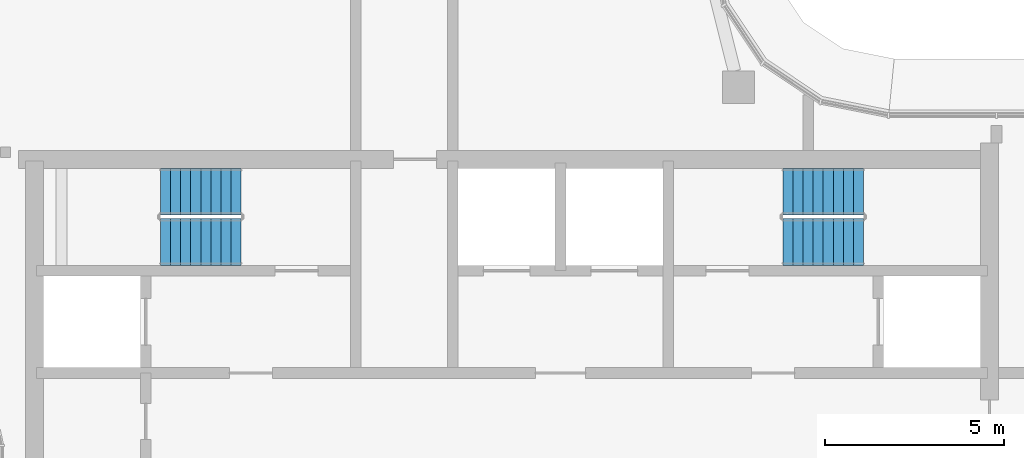
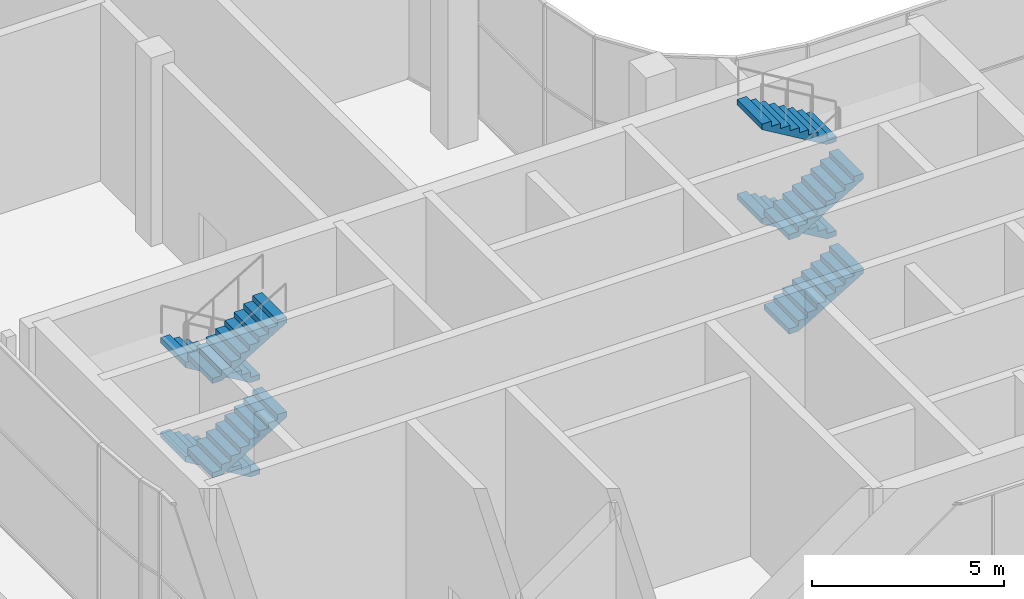
# One storey, part 17 of 23: 8 stair flights, 2 elements without a shape of their own.
"""IFC4 building model written with IfcOpenShell, lengths in metres."""

from ifc_helpers import new_model, si_unit, direction, frame, origin, place, context, subcontext, project, spatial, triangles, source, transform, mapped, material, type_object, element, aggregate, save


model = new_model("IFC4")

# Units and contexts
model_context = context("Model", 3, precision=1e-05, world=origin(), true_north=direction((0.0, 1.0)))
body_context = subcontext(model_context, "Body", "Model", "MODEL_VIEW")
ifc_project = project(units=[si_unit("LENGTHUNIT", "METRE"), si_unit("AREAUNIT", "SQUARE_METRE"), si_unit("VOLUMEUNIT", "CUBIC_METRE"), si_unit("PLANEANGLEUNIT", "RADIAN"), si_unit("MASSUNIT", "GRAM", prefix="KILO")], contexts=[model_context])

# Site, building, storey
site_placement = place(None, origin())
site = spatial("IfcSite", under=ifc_project, at=site_placement, CompositionType="ELEMENT")
building_placement = place(site_placement, origin())
building = spatial("IfcBuilding", under=site, at=building_placement, Name="Ogive Portal Towers", CompositionType="ELEMENT")
storey_placement = place(building_placement, frame((0.0, 0.0, 260.89990234375)))
storey = spatial("IfcBuildingStorey", under=building, at=storey_placement, Name="L64", CompositionType="ELEMENT", Elevation=260.89990234375)

# Stair, stair flights
ifc_material = material(Name="Concrete C40/50", Category="concrete")
stair_type = type_object("IfcStairType", Name="INT-STAIR", PredefinedType="HALF_TURN_STAIR", material=ifc_material)
stair_1_placement = place(storey_placement, origin())
stair_1 = element("IfcStair", 1, at=stair_1_placement, inside=storey, type_object=stair_type, Name="L64 Exit Stair ST-A1", PredefinedType="HALF_TURN_STAIR")
stair_flight_type = type_object("IfcStairFlightType", Name="INT-FLIGHT", PredefinedType="STRAIGHT", material=ifc_material)
shared_shape = source(origin(), body_context, "Body", "Tessellation", [
    triangles([(0.0, -0.650146484375, 0.0), (0.0, -0.376220703125, 0.0), (0.0, -0.192626953125, 0.0), (0.0, -0.081298828125, 0.0), (0.0, -0.024169921875, 0.0), (0.0, -0.003173828125, 0.0), (0.0, 0.0, 0.0), (0.0, 0.0029296875, 0.0), (0.0, 0.02392578125, 0.0), (0.0, 0.0810546875, 0.0), (0.0, 0.1923828125, 0.0), (0.0, 0.3759765625, 0.0), (0.0, 0.64990234375, 0.0), (0.0, -0.650146484375, 0.166748046875), (0.0, -0.376220703125, 0.166748046875), (0.0, -0.192626953125, 0.166748046875), (0.0, -0.081298828125, 0.166748046875), (0.0, -0.024169921875, 0.166748046875), (0.0, -0.003173828125, 0.166748046875), (0.0, 0.0, 0.166748046875), (0.0, 0.0029296875, 0.166748046875), (0.0, 0.02392578125, 0.166748046875), (0.0, 0.0810546875, 0.166748046875), (0.0, 0.1923828125, 0.166748046875), (0.0, 0.3759765625, 0.166748046875), (0.0, 0.64990234375, 0.166748046875), (0.280029296875, -0.650146484375, 0.166748046875), (0.280029296875, -0.376220703125, 0.166748046875), (0.280029296875, -0.192626953125, 0.166748046875), (0.280029296875, -0.081298828125, 0.166748046875), (0.280029296875, -0.024169921875, 0.166748046875), (0.280029296875, -0.003173828125, 0.166748046875), (0.280029296875, 0.0, 0.166748046875), (0.280029296875, 0.0029296875, 0.166748046875), (0.280029296875, 0.02392578125, 0.166748046875), (0.280029296875, 0.0810546875, 0.166748046875), (0.280029296875, 0.1923828125, 0.166748046875), (0.280029296875, 0.3759765625, 0.166748046875), (0.280029296875, 0.64990234375, 0.166748046875), (0.280029296875, -0.650146484375, 0.333251953125), (0.280029296875, -0.376220703125, 0.333251953125), (0.280029296875, -0.192626953125, 0.333251953125), (0.280029296875, -0.081298828125, 0.333251953125), (0.280029296875, -0.024169921875, 0.333251953125), (0.280029296875, -0.003173828125, 0.333251953125), (0.280029296875, 0.0, 0.333251953125), (0.280029296875, 0.0029296875, 0.333251953125), (0.280029296875, 0.02392578125, 0.333251953125), (0.280029296875, 0.0810546875, 0.333251953125), (0.280029296875, 0.1923828125, 0.333251953125), (0.280029296875, 0.3759765625, 0.333251953125), (0.280029296875, 0.64990234375, 0.333251953125), (0.56005859375, -0.650146484375, 0.333251953125), (0.56005859375, -0.376220703125, 0.333251953125), (0.56005859375, -0.192626953125, 0.333251953125), (0.56005859375, -0.081298828125, 0.333251953125), (0.56005859375, -0.024169921875, 0.333251953125), (0.56005859375, -0.003173828125, 0.333251953125), (0.56005859375, 0.0, 0.333251953125), (0.56005859375, 0.0029296875, 0.333251953125), (0.56005859375, 0.02392578125, 0.333251953125), (0.56005859375, 0.0810546875, 0.333251953125), (0.56005859375, 0.1923828125, 0.333251953125), (0.56005859375, 0.3759765625, 0.333251953125), (0.56005859375, 0.64990234375, 0.333251953125), (0.56005859375, -0.650146484375, 0.5), (0.56005859375, -0.376220703125, 0.5), (0.56005859375, -0.192626953125, 0.5), (0.56005859375, -0.081298828125, 0.5), (0.56005859375, -0.024169921875, 0.5), (0.56005859375, -0.003173828125, 0.5), (0.56005859375, 0.0, 0.5), (0.56005859375, 0.0029296875, 0.5), (0.56005859375, 0.02392578125, 0.5), (0.56005859375, 0.0810546875, 0.5), (0.56005859375, 0.1923828125, 0.5), (0.56005859375, 0.3759765625, 0.5), (0.56005859375, 0.64990234375, 0.5), (0.840087890625, -0.650146484375, 0.5), (0.840087890625, -0.376220703125, 0.5), (0.840087890625, -0.192626953125, 0.5), (0.840087890625, -0.081298828125, 0.5), (0.840087890625, -0.024169921875, 0.5), (0.840087890625, -0.003173828125, 0.5), (0.840087890625, 0.0, 0.5), (0.840087890625, 0.0029296875, 0.5), (0.840087890625, 0.02392578125, 0.5), (0.840087890625, 0.0810546875, 0.5), (0.840087890625, 0.1923828125, 0.5), (0.840087890625, 0.3759765625, 0.5), (0.840087890625, 0.64990234375, 0.5), (0.840087890625, -0.650146484375, 0.666748046875), (0.840087890625, -0.376220703125, 0.666748046875), (0.840087890625, -0.192626953125, 0.666748046875), (0.840087890625, -0.081298828125, 0.666748046875), (0.840087890625, -0.024169921875, 0.666748046875), (0.840087890625, -0.003173828125, 0.666748046875), (0.840087890625, 0.0, 0.666748046875), (0.840087890625, 0.0029296875, 0.666748046875), (0.840087890625, 0.02392578125, 0.666748046875), (0.840087890625, 0.0810546875, 0.666748046875), (0.840087890625, 0.1923828125, 0.666748046875), (0.840087890625, 0.3759765625, 0.666748046875), (0.840087890625, 0.64990234375, 0.666748046875), (1.1201171875, -0.650146484375, 0.666748046875), (1.1201171875, -0.376220703125, 0.666748046875), (1.1201171875, -0.192626953125, 0.666748046875), (1.1201171875, -0.081298828125, 0.666748046875), (1.1201171875, -0.024169921875, 0.666748046875), (1.1201171875, -0.003173828125, 0.666748046875), (1.1201171875, 0.0, 0.666748046875), (1.1201171875, 0.0029296875, 0.666748046875), (1.1201171875, 0.02392578125, 0.666748046875), (1.1201171875, 0.0810546875, 0.666748046875), (1.1201171875, 0.1923828125, 0.666748046875), (1.1201171875, 0.3759765625, 0.666748046875), (1.1201171875, 0.64990234375, 0.666748046875), (1.1201171875, -0.650146484375, 0.833251953125), (1.1201171875, -0.376220703125, 0.833251953125), (1.1201171875, -0.192626953125, 0.833251953125), (1.1201171875, -0.081298828125, 0.833251953125), (1.1201171875, -0.024169921875, 0.833251953125), (1.1201171875, -0.003173828125, 0.833251953125), (1.1201171875, 0.0, 0.833251953125), (1.1201171875, 0.0029296875, 0.833251953125), (1.1201171875, 0.02392578125, 0.833251953125), (1.1201171875, 0.0810546875, 0.833251953125), (1.1201171875, 0.1923828125, 0.833251953125), (1.1201171875, 0.3759765625, 0.833251953125), (1.1201171875, 0.64990234375, 0.833251953125), (1.39990234375, -0.650146484375, 0.833251953125), (1.39990234375, -0.376220703125, 0.833251953125), (1.39990234375, -0.192626953125, 0.833251953125), (1.39990234375, -0.081298828125, 0.833251953125), (1.39990234375, -0.024169921875, 0.833251953125), (1.39990234375, -0.003173828125, 0.833251953125), (1.39990234375, 0.0, 0.833251953125), (1.39990234375, 0.0029296875, 0.833251953125), (1.39990234375, 0.02392578125, 0.833251953125), (1.39990234375, 0.0810546875, 0.833251953125), (1.39990234375, 0.1923828125, 0.833251953125), (1.39990234375, 0.3759765625, 0.833251953125), (1.39990234375, 0.64990234375, 0.833251953125), (1.39990234375, -0.650146484375, 1.0), (1.39990234375, -0.376220703125, 1.0), (1.39990234375, -0.192626953125, 1.0), (1.39990234375, -0.081298828125, 1.0), (1.39990234375, -0.024169921875, 1.0), (1.39990234375, -0.003173828125, 1.0), (1.39990234375, 0.0, 1.0), (1.39990234375, 0.0029296875, 1.0), (1.39990234375, 0.02392578125, 1.0), (1.39990234375, 0.0810546875, 1.0), (1.39990234375, 0.1923828125, 1.0), (1.39990234375, 0.3759765625, 1.0), (1.39990234375, 0.64990234375, 1.0), (1.679931640625, -0.650146484375, 1.0), (1.679931640625, -0.376220703125, 1.0), (1.679931640625, -0.192626953125, 1.0), (1.679931640625, -0.081298828125, 1.0), (1.679931640625, -0.024169921875, 1.0), (1.679931640625, -0.003173828125, 1.0), (1.679931640625, 0.0, 1.0), (1.679931640625, 0.0029296875, 1.0), (1.679931640625, 0.02392578125, 1.0), (1.679931640625, 0.0810546875, 1.0), (1.679931640625, 0.1923828125, 1.0), (1.679931640625, 0.3759765625, 1.0), (1.679931640625, 0.64990234375, 1.0), (1.679931640625, -0.650146484375, 1.166748046875), (1.679931640625, -0.376220703125, 1.166748046875), (1.679931640625, -0.192626953125, 1.166748046875), (1.679931640625, -0.081298828125, 1.166748046875), (1.679931640625, -0.024169921875, 1.166748046875), (1.679931640625, -0.003173828125, 1.166748046875), (1.679931640625, 0.0, 1.166748046875), (1.679931640625, 0.0029296875, 1.166748046875), (1.679931640625, 0.02392578125, 1.166748046875), (1.679931640625, 0.0810546875, 1.166748046875), (1.679931640625, 0.1923828125, 1.166748046875), (1.679931640625, 0.3759765625, 1.166748046875), (1.679931640625, 0.64990234375, 1.166748046875), (1.9599609375, -0.650146484375, 1.166748046875), (1.9599609375, -0.376220703125, 1.166748046875), (1.9599609375, -0.192626953125, 1.166748046875), (1.9599609375, -0.081298828125, 1.166748046875), (1.9599609375, -0.024169921875, 1.166748046875), (1.9599609375, -0.003173828125, 1.166748046875), (1.9599609375, 0.0, 1.166748046875), (1.9599609375, 0.0029296875, 1.166748046875), (1.9599609375, 0.02392578125, 1.166748046875), (1.9599609375, 0.0810546875, 1.166748046875), (1.9599609375, 0.1923828125, 1.166748046875), (1.9599609375, 0.3759765625, 1.166748046875), (1.9599609375, 0.64990234375, 1.166748046875), (1.9599609375, -0.650146484375, 1.333251953125), (1.9599609375, -0.376220703125, 1.333251953125), (1.9599609375, -0.192626953125, 1.333251953125), (1.9599609375, -0.081298828125, 1.333251953125), (1.9599609375, -0.024169921875, 1.333251953125), (1.9599609375, -0.003173828125, 1.333251953125), (1.9599609375, 0.0, 1.333251953125), (1.9599609375, 0.0029296875, 1.333251953125), (1.9599609375, 0.02392578125, 1.333251953125), (1.9599609375, 0.0810546875, 1.333251953125), (1.9599609375, 0.1923828125, 1.333251953125), (1.9599609375, 0.3759765625, 1.333251953125), (1.9599609375, 0.64990234375, 1.333251953125), (2.239990234375, -0.650146484375, 1.333251953125), (2.239990234375, -0.376220703125, 1.333251953125), (2.239990234375, -0.192626953125, 1.333251953125), (2.239990234375, -0.081298828125, 1.333251953125), (2.239990234375, -0.024169921875, 1.333251953125), (2.239990234375, -0.003173828125, 1.333251953125), (2.239990234375, 0.0, 1.333251953125), (2.239990234375, 0.0029296875, 1.333251953125), (2.239990234375, 0.02392578125, 1.333251953125), (2.239990234375, 0.0810546875, 1.333251953125), (2.239990234375, 0.1923828125, 1.333251953125), (2.239990234375, 0.3759765625, 1.333251953125), (2.239990234375, 0.64990234375, 1.333251953125), (2.239990234375, -0.650146484375, 1.158935546875), (2.239990234375, -0.376220703125, 1.158935546875), (2.239990234375, -0.192626953125, 1.158935546875), (2.239990234375, -0.081298828125, 1.158935546875), (2.239990234375, -0.024169921875, 1.158935546875), (2.239990234375, -0.003173828125, 1.158935546875), (2.239990234375, 0.0, 1.158935546875), (2.239990234375, 0.0029296875, 1.158935546875), (2.239990234375, 0.02392578125, 1.158935546875), (2.239990234375, 0.0810546875, 1.158935546875), (2.239990234375, 0.1923828125, 1.158935546875), (2.239990234375, 0.3759765625, 1.158935546875), (2.239990234375, 0.64990234375, 1.158935546875), (0.29296875, -0.650146484375, 0.0), (0.29296875, -0.376220703125, 0.0), (0.29296875, -0.192626953125, 0.0), (0.29296875, -0.081298828125, 0.0), (0.29296875, -0.024169921875, 0.0), (0.29296875, -0.003173828125, 0.0), (0.29296875, 0.0, 0.0), (0.29296875, 0.0029296875, 0.0), (0.29296875, 0.02392578125, 0.0), (0.29296875, 0.0810546875, 0.0), (0.29296875, 0.1923828125, 0.0), (0.29296875, 0.3759765625, 0.0), (0.29296875, 0.64990234375, 0.0)], [[1, 14, 15], [1, 15, 2], [2, 15, 16], [2, 16, 3], [3, 16, 17], [3, 17, 4], [4, 17, 18], [4, 18, 5], [5, 18, 19], [5, 19, 6], [6, 19, 20], [6, 20, 7], [7, 20, 21], [7, 21, 8], [8, 21, 22], [8, 22, 9], [9, 22, 23], [9, 23, 10], [10, 23, 24], [10, 24, 11], [11, 24, 25], [11, 25, 12], [12, 25, 26], [12, 26, 13], [14, 27, 28], [14, 28, 15], [15, 28, 29], [15, 29, 16], [16, 29, 30], [16, 30, 17], [17, 30, 31], [17, 31, 18], [18, 31, 32], [18, 32, 19], [19, 32, 33], [19, 33, 20], [20, 33, 34], [20, 34, 21], [21, 34, 35], [21, 35, 22], [22, 35, 36], [22, 36, 23], [23, 36, 37], [23, 37, 24], [24, 37, 38], [24, 38, 25], [25, 38, 39], [25, 39, 26], [27, 40, 41], [27, 41, 28], [28, 41, 42], [28, 42, 29], [29, 42, 43], [29, 43, 30], [30, 43, 44], [30, 44, 31], [31, 44, 45], [31, 45, 32], [32, 45, 46], [32, 46, 33], [33, 46, 47], [33, 47, 34], [34, 47, 48], [34, 48, 35], [35, 48, 49], [35, 49, 36], [36, 49, 50], [36, 50, 37], [37, 50, 51], [37, 51, 38], [38, 51, 52], [38, 52, 39], [40, 53, 54], [40, 54, 41], [41, 54, 55], [41, 55, 42], [42, 55, 56], [42, 56, 43], [43, 56, 57], [43, 57, 44], [44, 57, 58], [44, 58, 45], [45, 58, 59], [45, 59, 46], [46, 59, 60], [46, 60, 47], [47, 60, 61], [47, 61, 48], [48, 61, 62], [48, 62, 49], [49, 62, 63], [49, 63, 50], [50, 63, 64], [50, 64, 51], [51, 64, 65], [51, 65, 52], [53, 66, 67], [53, 67, 54], [54, 67, 68], [54, 68, 55], [55, 68, 69], [55, 69, 56], [56, 69, 70], [56, 70, 57], [57, 70, 71], [57, 71, 58], [58, 71, 72], [58, 72, 59], [59, 72, 73], [59, 73, 60], [60, 73, 74], [60, 74, 61], [61, 74, 75], [61, 75, 62], [62, 75, 76], [62, 76, 63], [63, 76, 77], [63, 77, 64], [64, 77, 78], [64, 78, 65], [66, 79, 80], [66, 80, 67], [67, 80, 81], [67, 81, 68], [68, 81, 82], [68, 82, 69], [69, 82, 83], [69, 83, 70], [70, 83, 84], [70, 84, 71], [71, 84, 85], [71, 85, 72], [72, 85, 86], [72, 86, 73], [73, 86, 87], [73, 87, 74], [74, 87, 88], [74, 88, 75], [75, 88, 89], [75, 89, 76], [76, 89, 90], [76, 90, 77], [77, 90, 91], [77, 91, 78], [79, 92, 93], [79, 93, 80], [80, 93, 94], [80, 94, 81], [81, 94, 95], [81, 95, 82], [82, 95, 96], [82, 96, 83], [83, 96, 97], [83, 97, 84], [84, 97, 98], [84, 98, 85], [85, 98, 99], [85, 99, 86], [86, 99, 100], [86, 100, 87], [87, 100, 101], [87, 101, 88], [88, 101, 102], [88, 102, 89], [89, 102, 103], [89, 103, 90], [90, 103, 104], [90, 104, 91], [92, 105, 106], [92, 106, 93], [93, 106, 107], [93, 107, 94], [94, 107, 108], [94, 108, 95], [95, 108, 109], [95, 109, 96], [96, 109, 110], [96, 110, 97], [97, 110, 111], [97, 111, 98], [98, 111, 112], [98, 112, 99], [99, 112, 113], [99, 113, 100], [100, 113, 114], [100, 114, 101], [101, 114, 115], [101, 115, 102], [102, 115, 116], [102, 116, 103], [103, 116, 117], [103, 117, 104], [105, 118, 119], [105, 119, 106], [106, 119, 120], [106, 120, 107], [107, 120, 121], [107, 121, 108], [108, 121, 122], [108, 122, 109], [109, 122, 123], [109, 123, 110], [110, 123, 124], [110, 124, 111], [111, 124, 125], [111, 125, 112], [112, 125, 126], [112, 126, 113], [113, 126, 127], [113, 127, 114], [114, 127, 128], [114, 128, 115], [115, 128, 129], [115, 129, 116], [116, 129, 130], [116, 130, 117], [118, 131, 132], [118, 132, 119], [119, 132, 133], [119, 133, 120], [120, 133, 134], [120, 134, 121], [121, 134, 135], [121, 135, 122], [122, 135, 136], [122, 136, 123], [123, 136, 137], [123, 137, 124], [124, 137, 138], [124, 138, 125], [125, 138, 139], [125, 139, 126], [126, 139, 140], [126, 140, 127], [127, 140, 141], [127, 141, 128], [128, 141, 142], [128, 142, 129], [129, 142, 143], [129, 143, 130], [131, 144, 145], [131, 145, 132], [132, 145, 146], [132, 146, 133], [133, 146, 147], [133, 147, 134], [134, 147, 148], [134, 148, 135], [135, 148, 149], [135, 149, 136], [136, 149, 150], [136, 150, 137], [137, 150, 151], [137, 151, 138], [138, 151, 152], [138, 152, 139], [139, 152, 153], [139, 153, 140], [140, 153, 154], [140, 154, 141], [141, 154, 155], [141, 155, 142], [142, 155, 156], [142, 156, 143], [144, 157, 158], [144, 158, 145], [145, 158, 159], [145, 159, 146], [146, 159, 160], [146, 160, 147], [147, 160, 161], [147, 161, 148], [148, 161, 162], [148, 162, 149], [149, 162, 163], [149, 163, 150], [150, 163, 164], [150, 164, 151], [151, 164, 165], [151, 165, 152], [152, 165, 166], [152, 166, 153], [153, 166, 167], [153, 167, 154], [154, 167, 168], [154, 168, 155], [155, 168, 169], [155, 169, 156], [157, 170, 171], [157, 171, 158], [158, 171, 172], [158, 172, 159], [159, 172, 173], [159, 173, 160], [160, 173, 174], [160, 174, 161], [161, 174, 175], [161, 175, 162], [162, 175, 176], [162, 176, 163], [163, 176, 177], [163, 177, 164], [164, 177, 178], [164, 178, 165], [165, 178, 179], [165, 179, 166], [166, 179, 180], [166, 180, 167], [167, 180, 181], [167, 181, 168], [168, 181, 182], [168, 182, 169], [170, 183, 184], [170, 184, 171], [171, 184, 185], [171, 185, 172], [172, 185, 186], [172, 186, 173], [173, 186, 187], [173, 187, 174], [174, 187, 188], [174, 188, 175], [175, 188, 189], [175, 189, 176], [176, 189, 190], [176, 190, 177], [177, 190, 191], [177, 191, 178], [178, 191, 192], [178, 192, 179], [179, 192, 193], [179, 193, 180], [180, 193, 194], [180, 194, 181], [181, 194, 195], [181, 195, 182], [183, 196, 197], [183, 197, 184], [184, 197, 198], [184, 198, 185], [185, 198, 199], [185, 199, 186], [186, 199, 200], [186, 200, 187], [187, 200, 201], [187, 201, 188], [188, 201, 202], [188, 202, 189], [189, 202, 203], [189, 203, 190], [190, 203, 204], [190, 204, 191], [191, 204, 205], [191, 205, 192], [192, 205, 206], [192, 206, 193], [193, 206, 207], [193, 207, 194], [194, 207, 208], [194, 208, 195], [196, 209, 210], [196, 210, 197], [197, 210, 211], [197, 211, 198], [198, 211, 212], [198, 212, 199], [199, 212, 213], [199, 213, 200], [200, 213, 214], [200, 214, 201], [201, 214, 215], [201, 215, 202], [202, 215, 216], [202, 216, 203], [203, 216, 217], [203, 217, 204], [204, 217, 218], [204, 218, 205], [205, 218, 219], [205, 219, 206], [206, 219, 220], [206, 220, 207], [207, 220, 221], [207, 221, 208], [209, 222, 223], [209, 223, 210], [210, 223, 224], [210, 224, 211], [211, 224, 225], [211, 225, 212], [212, 225, 226], [212, 226, 213], [213, 226, 227], [213, 227, 214], [214, 227, 228], [214, 228, 215], [215, 228, 229], [215, 229, 216], [216, 229, 230], [216, 230, 217], [217, 230, 231], [217, 231, 218], [218, 231, 232], [218, 232, 219], [219, 232, 233], [219, 233, 220], [220, 233, 234], [220, 234, 221], [222, 235, 236], [222, 236, 223], [223, 236, 237], [223, 237, 224], [224, 237, 238], [224, 238, 225], [225, 238, 239], [225, 239, 226], [226, 239, 240], [226, 240, 227], [227, 240, 241], [227, 241, 228], [228, 241, 242], [228, 242, 229], [229, 242, 243], [229, 243, 230], [230, 243, 244], [230, 244, 231], [231, 244, 245], [231, 245, 232], [232, 245, 246], [232, 246, 233], [233, 246, 247], [233, 247, 234], [235, 1, 2], [235, 2, 236], [236, 2, 3], [236, 3, 237], [237, 3, 4], [237, 4, 238], [238, 4, 5], [238, 5, 239], [239, 5, 6], [239, 6, 240], [240, 6, 7], [240, 7, 241], [241, 7, 8], [241, 8, 242], [242, 8, 9], [242, 9, 243], [243, 9, 10], [243, 10, 244], [244, 10, 11], [244, 11, 245], [245, 11, 12], [245, 12, 246], [246, 12, 13], [246, 13, 247], [1, 235, 222], [13, 234, 247], [222, 209, 196], [234, 208, 221], [222, 196, 183], [234, 195, 208], [222, 183, 170], [234, 182, 195], [222, 170, 157], [234, 169, 182], [157, 144, 131], [169, 143, 156], [222, 157, 131], [234, 143, 169], [131, 118, 105], [143, 117, 130], [222, 131, 105], [234, 117, 143], [105, 92, 79], [117, 91, 104], [222, 105, 79], [234, 91, 117], [79, 66, 53], [91, 65, 78], [222, 79, 53], [234, 65, 91], [1, 222, 53], [13, 65, 234], [53, 40, 27], [65, 39, 52], [1, 53, 27], [13, 39, 65], [27, 14, 1], [39, 13, 26]], closed=True),
])
stair_flight_1_placement = place(storey_placement, frame((37.449951171875, 38.39990234375, 0.0), z_axis=(0.0, 0.0, 1.0), x_axis=(-1.0, 0.0, 0.0)))
stair_flight_1 = element("IfcStairFlight", 2, at=stair_flight_1_placement, type_object=stair_flight_type, Name="ST-A1 flight 1", NumberOfRisers=9, NumberOfTreads=8, PredefinedType="STRAIGHT", RiserHeight=0.166666667, TreadLength=0.28, context=body_context, shape_type="MappedRepresentation", body=[
    mapped(shared_shape, transform((0.0, 0.0, 0.0), scale=1.0)),
])
stair_flight_2_placement = place(storey_placement, frame((35.2099609375, 37.0, 1.5), z_axis=(0.0, 0.0, 1.0), x_axis=(1.0, 0.0, 0.0)))
stair_flight_2 = element("IfcStairFlight", 3, at=stair_flight_2_placement, type_object=stair_flight_type, Name="ST-A1 flight 2", NumberOfRisers=9, NumberOfTreads=8, PredefinedType="STRAIGHT", RiserHeight=0.166666667, TreadLength=0.28, context=body_context, shape_type="MappedRepresentation", body=[
    mapped(shared_shape, transform((0.0, 0.0, 0.0), scale=1.0)),
])
stair_flight_3_placement = place(storey_placement, frame((37.449951171875, 38.39990234375, 3.0), z_axis=(0.0, 0.0, 1.0), x_axis=(-1.0, 0.0, 0.0)))
stair_flight_3 = element("IfcStairFlight", 4, at=stair_flight_3_placement, type_object=stair_flight_type, Name="ST-A1 flight 3", NumberOfRisers=9, NumberOfTreads=8, PredefinedType="STRAIGHT", RiserHeight=0.166666667, TreadLength=0.28, context=body_context, shape_type="MappedRepresentation", body=[
    mapped(shared_shape, transform((0.0, 0.0, 0.0), scale=1.0)),
])
stair_flight_4_placement = place(storey_placement, frame((35.2099609375, 37.0, 4.5), z_axis=(0.0, 0.0, 1.0), x_axis=(1.0, 0.0, 0.0)))
stair_flight_4 = element("IfcStairFlight", 5, at=stair_flight_4_placement, type_object=stair_flight_type, Name="ST-A1 flight 4", NumberOfRisers=9, NumberOfTreads=8, PredefinedType="STRAIGHT", RiserHeight=0.166666667, TreadLength=0.28, context=body_context, shape_type="MappedRepresentation", body=[
    mapped(shared_shape, transform((0.0, 0.0, 0.0), scale=1.0)),
])
aggregate(stair_1, [stair_flight_1, stair_flight_2, stair_flight_3, stair_flight_4])

stair_2_placement = place(storey_placement, origin())
stair_2 = element("IfcStair", 6, at=stair_2_placement, inside=storey, type_object=stair_type, Name="L64 Exit Stair ST-A2", PredefinedType="HALF_TURN_STAIR")
stair_flight_5_placement = place(storey_placement, frame((52.550048828125, 37.0, 0.0), z_axis=(0.0, 0.0, 1.0), x_axis=(1.0, 0.0, 0.0)))
stair_flight_5 = element("IfcStairFlight", 7, at=stair_flight_5_placement, type_object=stair_flight_type, Name="ST-A2 flight 1", NumberOfRisers=9, NumberOfTreads=8, PredefinedType="STRAIGHT", RiserHeight=0.166666667, TreadLength=0.28, context=body_context, shape_type="MappedRepresentation", body=[
    mapped(shared_shape, transform((0.0, 0.0, 0.0), scale=1.0)),
])
stair_flight_6_placement = place(storey_placement, frame((54.7900390625, 38.39990234375, 1.5), z_axis=(0.0, 0.0, 1.0), x_axis=(-1.0, 0.0, 0.0)))
stair_flight_6 = element("IfcStairFlight", 8, at=stair_flight_6_placement, type_object=stair_flight_type, Name="ST-A2 flight 2", NumberOfRisers=9, NumberOfTreads=8, PredefinedType="STRAIGHT", RiserHeight=0.166666667, TreadLength=0.28, context=body_context, shape_type="MappedRepresentation", body=[
    mapped(shared_shape, transform((0.0, 0.0, 0.0), scale=1.0)),
])
stair_flight_7_placement = place(storey_placement, frame((52.550048828125, 37.0, 3.0), z_axis=(0.0, 0.0, 1.0), x_axis=(1.0, 0.0, 0.0)))
stair_flight_7 = element("IfcStairFlight", 9, at=stair_flight_7_placement, type_object=stair_flight_type, Name="ST-A2 flight 3", NumberOfRisers=9, NumberOfTreads=8, PredefinedType="STRAIGHT", RiserHeight=0.166666667, TreadLength=0.28, context=body_context, shape_type="MappedRepresentation", body=[
    mapped(shared_shape, transform((0.0, 0.0, 0.0), scale=1.0)),
])
stair_flight_8_placement = place(storey_placement, frame((54.7900390625, 38.39990234375, 4.5), z_axis=(0.0, 0.0, 1.0), x_axis=(-1.0, 0.0, 0.0)))
stair_flight_8 = element("IfcStairFlight", 10, at=stair_flight_8_placement, type_object=stair_flight_type, Name="ST-A2 flight 4", NumberOfRisers=9, NumberOfTreads=8, PredefinedType="STRAIGHT", RiserHeight=0.166666667, TreadLength=0.28, context=body_context, shape_type="MappedRepresentation", body=[
    mapped(shared_shape, transform((0.0, 0.0, 0.0), scale=1.0)),
])
aggregate(stair_2, [stair_flight_5, stair_flight_6, stair_flight_7, stair_flight_8])

save(model, "model.ifc")
